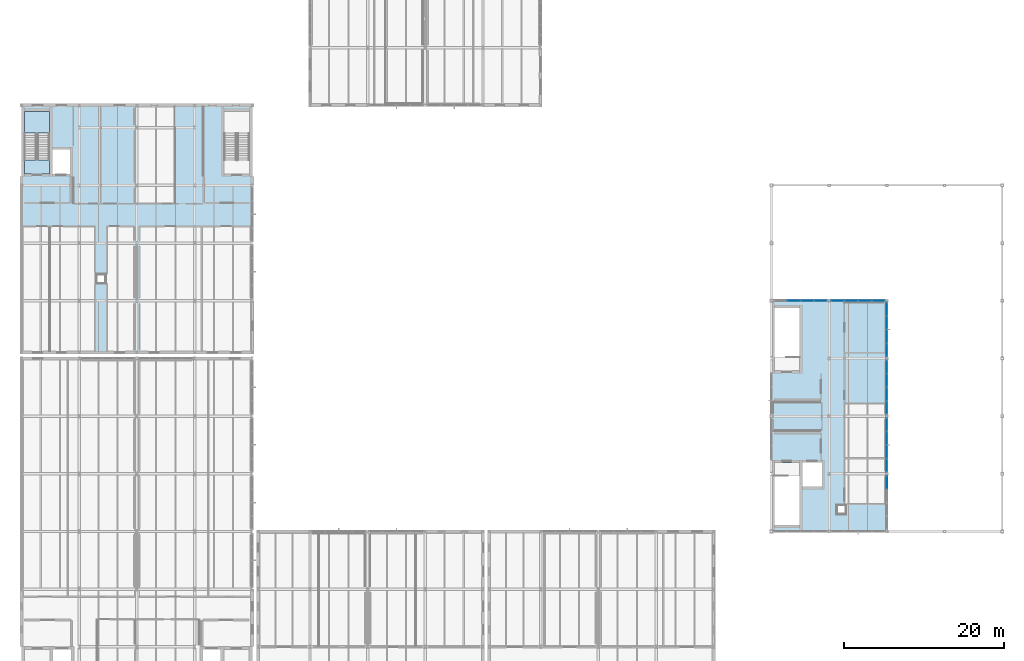
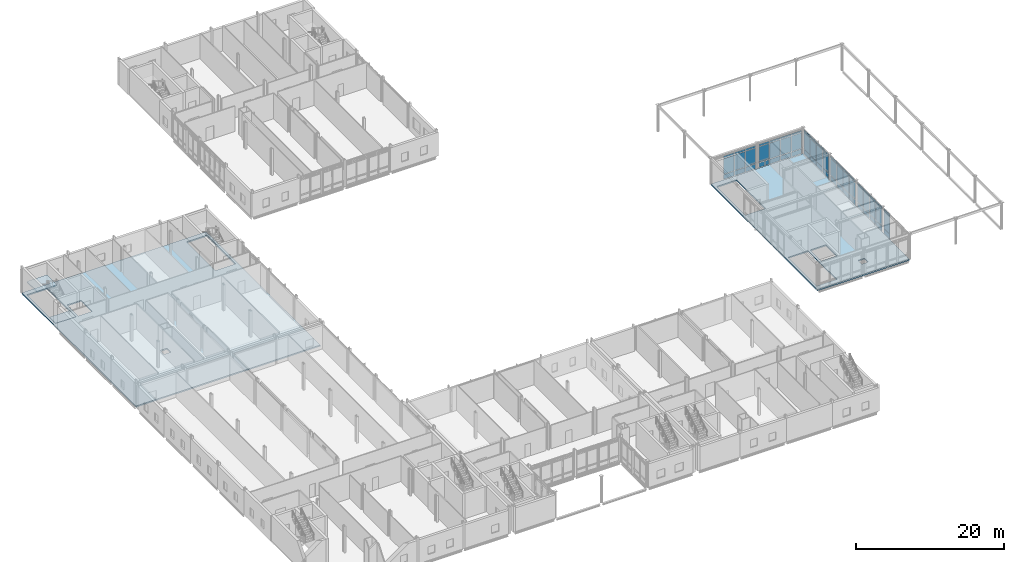
# One storey, part 38 of 72: 60 plates, 4 slabs, 7 elements without a shape of their own.
"""IFC4 building model written with IfcOpenShell, lengths in metres."""

from ifc_helpers import new_model, si_unit, direction, frame, origin, origin_2d, place, context, subcontext, project, spatial, polyline, rectangle, outline, extrude, material, layer, layer_set, type_object, element, aggregate, save


model = new_model("IFC4")

# Units and contexts
model_context = context("Model", 3, precision=1e-05, world=origin(), true_north=direction((0.0, 1.0)))
body_context = subcontext(model_context, "Body", "Model", "MODEL_VIEW")
ifc_project = project(units=[si_unit("LENGTHUNIT", "METRE"), si_unit("AREAUNIT", "SQUARE_METRE"), si_unit("VOLUMEUNIT", "CUBIC_METRE"), si_unit("PLANEANGLEUNIT", "RADIAN"), si_unit("MASSUNIT", "GRAM", prefix="KILO")], contexts=[model_context])

# Site, building, storey
site_placement = place(None, origin())
site = spatial("IfcSite", under=ifc_project, at=site_placement, CompositionType="ELEMENT")
building_placement = place(site_placement, origin())
building = spatial("IfcBuilding", under=site, at=building_placement, Name="Zarrinpeak Specialist Clinic", CompositionType="ELEMENT")
storey_placement = place(building_placement, frame((0.0, 0.0, 9.60009765625)))
storey = spatial("IfcBuildingStorey", under=building, at=storey_placement, Name="L02", CompositionType="ELEMENT", Elevation=9.60009765625)

# Curtain wall, plates
ifc_material_1 = material(Name="Anodised Aluminium Alloy 6063-T6", Category="aluminium")
ifc_layer_1 = layer(ifc_material_1, 0.199951171875)
ifc_layer_set_1 = layer_set([ifc_layer_1], Name="Anodised Aluminium Alloy 6063-T6")
curtain_wall_type = type_object("IfcCurtainWallType", Name="CW-HALL", PredefinedType="NOTDEFINED", material=ifc_layer_set_1)
curtain_wall_1_placement = place(storey_placement, origin())
curtain_wall_1 = element("IfcCurtainWall", 1, at=curtain_wall_1_placement, inside=storey, type_object=curtain_wall_type, Name="L02 V3 Unitised Curtain Wall CW-L02-V3-113", PredefinedType="NOTDEFINED")
ifc_material_2 = material(Name="Double Low-E Insulated Glazing", Category="glass")
ifc_layer_2 = layer(ifc_material_2, 0.028076171875)
ifc_layer_set_2 = layer_set([ifc_layer_2], Name="Double Low-E Insulated Glazing")
plate_type_1 = type_object("IfcPlateType", Name="CWP-GLZ28", PredefinedType="CURTAIN_PANEL", material=ifc_layer_set_2)
plate_1_placement = place(storey_placement, frame((99.742431640625, 57.60009765625, 0.08984375), z_axis=(0.0, 0.0, 1.0), x_axis=(-1.0, 0.0, 0.0)))
plate_1 = element("IfcPlate", 2, at=plate_1_placement, type_object=plate_type_1, Name="CW-02 panel 1.1", PredefinedType="CURTAIN_PANEL", context=body_context, shape_type="SweptSolid", body=[
    extrude(rectangle(XDim=1.561279296875, YDim=0.028076171875, at=origin_2d()), origin(), (0.0, 0.0, 1.0), 0.764892578125),
])
plate_2_placement = place(storey_placement, frame((99.742431640625, 57.60009765625, 0.94482421875), z_axis=(0.0, 0.0, 1.0), x_axis=(-1.0, 0.0, 0.0)))
plate_2 = element("IfcPlate", 3, at=plate_2_placement, type_object=plate_type_1, Name="CW-02 panel 1.2", PredefinedType="CURTAIN_PANEL", context=body_context, shape_type="SweptSolid", body=[
    extrude(rectangle(XDim=1.561279296875, YDim=0.028076171875, at=origin_2d()), origin(), (0.0, 0.0, 1.0), 2.56494140625),
])
plate_3_placement = place(storey_placement, frame((99.742431640625, 57.60009765625, 3.599853515625), z_axis=(0.0, 0.0, 1.0), x_axis=(-1.0, 0.0, 0.0)))
plate_3 = element("IfcPlate", 4, at=plate_3_placement, type_object=plate_type_1, Name="CW-02 panel 1.3", PredefinedType="CURTAIN_PANEL", context=body_context, shape_type="SweptSolid", body=[
    extrude(rectangle(XDim=1.561279296875, YDim=0.028076171875, at=origin_2d()), origin(), (0.0, 0.0, 1.0), 0.31494140625),
])
plate_4_placement = place(storey_placement, frame((98.06884765625, 57.60009765625, 0.08984375), z_axis=(0.0, 0.0, 1.0), x_axis=(-1.0, 0.0, 0.0)))
plate_4 = element("IfcPlate", 5, at=plate_4_placement, type_object=plate_type_1, Name="CW-02 panel 2.1", PredefinedType="CURTAIN_PANEL", context=body_context, shape_type="SweptSolid", body=[
    extrude(rectangle(XDim=1.606201171875, YDim=0.028076171875, at=origin_2d()), origin(), (0.0, 0.0, 1.0), 0.764892578125),
])
plate_5_placement = place(storey_placement, frame((98.06884765625, 57.60009765625, 0.94482421875), z_axis=(0.0, 0.0, 1.0), x_axis=(-1.0, 0.0, 0.0)))
plate_5 = element("IfcPlate", 6, at=plate_5_placement, type_object=plate_type_1, Name="CW-02 panel 2.2", PredefinedType="CURTAIN_PANEL", context=body_context, shape_type="SweptSolid", body=[
    extrude(rectangle(XDim=1.606201171875, YDim=0.028076171875, at=origin_2d()), origin(), (0.0, 0.0, 1.0), 2.56494140625),
])
plate_6_placement = place(storey_placement, frame((98.06884765625, 57.60009765625, 3.599853515625), z_axis=(0.0, 0.0, 1.0), x_axis=(-1.0, 0.0, 0.0)))
plate_6 = element("IfcPlate", 7, at=plate_6_placement, type_object=plate_type_1, Name="CW-02 panel 2.3", PredefinedType="CURTAIN_PANEL", context=body_context, shape_type="SweptSolid", body=[
    extrude(rectangle(XDim=1.606201171875, YDim=0.028076171875, at=origin_2d()), origin(), (0.0, 0.0, 1.0), 0.31494140625),
])
plate_7_placement = place(storey_placement, frame((96.37255859375, 57.60009765625, 0.08984375), z_axis=(0.0, 0.0, 1.0), x_axis=(-1.0, 0.0, 0.0)))
plate_7 = element("IfcPlate", 8, at=plate_7_placement, type_object=plate_type_1, Name="CW-02 panel 3.1", PredefinedType="CURTAIN_PANEL", context=body_context, shape_type="SweptSolid", body=[
    extrude(rectangle(XDim=1.606201171875, YDim=0.028076171875, at=origin_2d()), origin(), (0.0, 0.0, 1.0), 0.764892578125),
])
plate_8_placement = place(storey_placement, frame((96.37255859375, 57.60009765625, 0.94482421875), z_axis=(0.0, 0.0, 1.0), x_axis=(-1.0, 0.0, 0.0)))
plate_8 = element("IfcPlate", 9, at=plate_8_placement, type_object=plate_type_1, Name="CW-02 panel 3.2", PredefinedType="CURTAIN_PANEL", context=body_context, shape_type="SweptSolid", body=[
    extrude(rectangle(XDim=1.606201171875, YDim=0.028076171875, at=origin_2d()), origin(), (0.0, 0.0, 1.0), 2.56494140625),
])
plate_9_placement = place(storey_placement, frame((96.37255859375, 57.60009765625, 3.599853515625), z_axis=(0.0, 0.0, 1.0), x_axis=(-1.0, 0.0, 0.0)))
plate_9 = element("IfcPlate", 10, at=plate_9_placement, type_object=plate_type_1, Name="CW-02 panel 3.3", PredefinedType="CURTAIN_PANEL", context=body_context, shape_type="SweptSolid", body=[
    extrude(rectangle(XDim=1.606201171875, YDim=0.028076171875, at=origin_2d()), origin(), (0.0, 0.0, 1.0), 0.31494140625),
])
aggregate(curtain_wall_1, [plate_1, plate_2, plate_3, plate_4, plate_5, plate_6, plate_7, plate_8, plate_9])

curtain_wall_2_placement = place(storey_placement, origin())
curtain_wall_2 = element("IfcCurtainWall", 11, at=curtain_wall_2_placement, inside=storey, type_object=curtain_wall_type, Name="L02 V3 Unitised Curtain Wall CW-L02-V3-114", PredefinedType="NOTDEFINED")
plate_10_placement = place(storey_placement, frame((106.937255859375, 57.60009765625, 0.08984375), z_axis=(0.0, 0.0, 1.0), x_axis=(-1.0, 0.0, 0.0)))
plate_10 = element("IfcPlate", 12, at=plate_10_placement, type_object=plate_type_1, Name="CW-02 panel 1.1", PredefinedType="CURTAIN_PANEL", context=body_context, shape_type="SweptSolid", body=[
    extrude(rectangle(XDim=1.571533203125, YDim=0.028076171875, at=origin_2d()), origin(), (0.0, 0.0, 1.0), 0.764892578125),
])
plate_11_placement = place(storey_placement, frame((106.937255859375, 57.60009765625, 0.94482421875), z_axis=(0.0, 0.0, 1.0), x_axis=(-1.0, 0.0, 0.0)))
plate_11 = element("IfcPlate", 13, at=plate_11_placement, type_object=plate_type_1, Name="CW-02 panel 1.2", PredefinedType="CURTAIN_PANEL", context=body_context, shape_type="SweptSolid", body=[
    extrude(rectangle(XDim=1.571533203125, YDim=0.028076171875, at=origin_2d()), origin(), (0.0, 0.0, 1.0), 2.56494140625),
])
plate_12_placement = place(storey_placement, frame((106.937255859375, 57.60009765625, 3.599853515625), z_axis=(0.0, 0.0, 1.0), x_axis=(-1.0, 0.0, 0.0)))
plate_12 = element("IfcPlate", 14, at=plate_12_placement, type_object=plate_type_1, Name="CW-02 panel 1.3", PredefinedType="CURTAIN_PANEL", context=body_context, shape_type="SweptSolid", body=[
    extrude(rectangle(XDim=1.571533203125, YDim=0.028076171875, at=origin_2d()), origin(), (0.0, 0.0, 1.0), 0.31494140625),
])
plate_13_placement = place(storey_placement, frame((105.253173828125, 57.60009765625, 0.08984375), z_axis=(0.0, 0.0, 1.0), x_axis=(-1.0, 0.0, 0.0)))
plate_13 = element("IfcPlate", 15, at=plate_13_placement, type_object=plate_type_1, Name="CW-02 panel 2.1", PredefinedType="CURTAIN_PANEL", context=body_context, shape_type="SweptSolid", body=[
    extrude(rectangle(XDim=1.616455078125, YDim=0.028076171875, at=origin_2d()), origin(), (0.0, 0.0, 1.0), 0.764892578125),
])
plate_14_placement = place(storey_placement, frame((105.253173828125, 57.60009765625, 0.94482421875), z_axis=(0.0, 0.0, 1.0), x_axis=(-1.0, 0.0, 0.0)))
plate_14 = element("IfcPlate", 16, at=plate_14_placement, type_object=plate_type_1, Name="CW-02 panel 2.2", PredefinedType="CURTAIN_PANEL", context=body_context, shape_type="SweptSolid", body=[
    extrude(rectangle(XDim=1.616455078125, YDim=0.028076171875, at=origin_2d()), origin(), (0.0, 0.0, 1.0), 2.56494140625),
])
plate_15_placement = place(storey_placement, frame((105.253173828125, 57.60009765625, 3.599853515625), z_axis=(0.0, 0.0, 1.0), x_axis=(-1.0, 0.0, 0.0)))
plate_15 = element("IfcPlate", 17, at=plate_15_placement, type_object=plate_type_1, Name="CW-02 panel 2.3", PredefinedType="CURTAIN_PANEL", context=body_context, shape_type="SweptSolid", body=[
    extrude(rectangle(XDim=1.616455078125, YDim=0.028076171875, at=origin_2d()), origin(), (0.0, 0.0, 1.0), 0.31494140625),
])
plate_16_placement = place(storey_placement, frame((103.546630859375, 57.60009765625, 0.08984375), z_axis=(0.0, 0.0, 1.0), x_axis=(-1.0, 0.0, 0.0)))
plate_16 = element("IfcPlate", 18, at=plate_16_placement, type_object=plate_type_1, Name="CW-02 panel 3.1", PredefinedType="CURTAIN_PANEL", context=body_context, shape_type="SweptSolid", body=[
    extrude(rectangle(XDim=1.616455078125, YDim=0.028076171875, at=origin_2d()), origin(), (0.0, 0.0, 1.0), 0.764892578125),
])
plate_17_placement = place(storey_placement, frame((103.546630859375, 57.60009765625, 0.94482421875), z_axis=(0.0, 0.0, 1.0), x_axis=(-1.0, 0.0, 0.0)))
plate_17 = element("IfcPlate", 19, at=plate_17_placement, type_object=plate_type_1, Name="CW-02 panel 3.2", PredefinedType="CURTAIN_PANEL", context=body_context, shape_type="SweptSolid", body=[
    extrude(rectangle(XDim=1.616455078125, YDim=0.028076171875, at=origin_2d()), origin(), (0.0, 0.0, 1.0), 2.56494140625),
])
plate_18_placement = place(storey_placement, frame((103.546630859375, 57.60009765625, 3.599853515625), z_axis=(0.0, 0.0, 1.0), x_axis=(-1.0, 0.0, 0.0)))
plate_18 = element("IfcPlate", 20, at=plate_18_placement, type_object=plate_type_1, Name="CW-02 panel 3.3", PredefinedType="CURTAIN_PANEL", context=body_context, shape_type="SweptSolid", body=[
    extrude(rectangle(XDim=1.616455078125, YDim=0.028076171875, at=origin_2d()), origin(), (0.0, 0.0, 1.0), 0.31494140625),
])
plate_19_placement = place(storey_placement, frame((101.86279296875, 57.60009765625, 0.08984375), z_axis=(0.0, 0.0, 1.0), x_axis=(-1.0, 0.0, 0.0)))
plate_19 = element("IfcPlate", 21, at=plate_19_placement, type_object=plate_type_1, Name="CW-02 panel 4.1", PredefinedType="CURTAIN_PANEL", context=body_context, shape_type="SweptSolid", body=[
    extrude(rectangle(XDim=1.571533203125, YDim=0.028076171875, at=origin_2d()), origin(), (0.0, 0.0, 1.0), 0.764892578125),
])
plate_20_placement = place(storey_placement, frame((101.86279296875, 57.60009765625, 0.94482421875), z_axis=(0.0, 0.0, 1.0), x_axis=(-1.0, 0.0, 0.0)))
plate_20 = element("IfcPlate", 22, at=plate_20_placement, type_object=plate_type_1, Name="CW-02 panel 4.2", PredefinedType="CURTAIN_PANEL", context=body_context, shape_type="SweptSolid", body=[
    extrude(rectangle(XDim=1.571533203125, YDim=0.028076171875, at=origin_2d()), origin(), (0.0, 0.0, 1.0), 2.56494140625),
])
plate_21_placement = place(storey_placement, frame((101.86279296875, 57.60009765625, 3.599853515625), z_axis=(0.0, 0.0, 1.0), x_axis=(-1.0, 0.0, 0.0)))
plate_21 = element("IfcPlate", 23, at=plate_21_placement, type_object=plate_type_1, Name="CW-02 panel 4.3", PredefinedType="CURTAIN_PANEL", context=body_context, shape_type="SweptSolid", body=[
    extrude(rectangle(XDim=1.571533203125, YDim=0.028076171875, at=origin_2d()), origin(), (0.0, 0.0, 1.0), 0.31494140625),
])
aggregate(curtain_wall_2, [plate_10, plate_11, plate_12, plate_13, plate_14, plate_15, plate_16, plate_17, plate_18, plate_19, plate_20, plate_21])

curtain_wall_3_placement = place(storey_placement, origin())
curtain_wall_3 = element("IfcCurtainWall", 24, at=curtain_wall_3_placement, inside=storey, type_object=curtain_wall_type, Name="L02 V3 Unitised Curtain Wall CW-L02-V3-118", PredefinedType="NOTDEFINED")
plate_22_placement = place(storey_placement, frame((108.0, 37.062744140625, 0.08984375), z_axis=(0.0, 0.0, 1.0), x_axis=(0.0, 1.0, 0.0)))
plate_22 = element("IfcPlate", 25, at=plate_22_placement, type_object=plate_type_1, Name="CW-02 panel 1.1", PredefinedType="CURTAIN_PANEL", context=body_context, shape_type="SweptSolid", body=[
    extrude(rectangle(XDim=1.571533203125, YDim=0.028076171875, at=origin_2d()), origin(), (0.0, 0.0, 1.0), 0.764892578125),
])
plate_23_placement = place(storey_placement, frame((108.0, 37.062744140625, 0.94482421875), z_axis=(0.0, 0.0, 1.0), x_axis=(0.0, 1.0, 0.0)))
plate_23 = element("IfcPlate", 26, at=plate_23_placement, type_object=plate_type_1, Name="CW-02 panel 1.2", PredefinedType="CURTAIN_PANEL", context=body_context, shape_type="SweptSolid", body=[
    extrude(rectangle(XDim=1.571533203125, YDim=0.028076171875, at=origin_2d()), origin(), (0.0, 0.0, 1.0), 2.739990234375),
])
plate_24_placement = place(storey_placement, frame((108.0, 37.062744140625, 3.77490234375), z_axis=(0.0, 0.0, 1.0), x_axis=(0.0, 1.0, 0.0)))
plate_24 = element("IfcPlate", 27, at=plate_24_placement, type_object=plate_type_1, Name="CW-02 panel 1.3", PredefinedType="CURTAIN_PANEL", context=body_context, shape_type="SweptSolid", body=[
    extrude(rectangle(XDim=1.571533203125, YDim=0.028076171875, at=origin_2d()), origin(), (0.0, 0.0, 1.0), 0.31494140625),
])
plate_25_placement = place(storey_placement, frame((108.0, 38.746826171875, 0.08984375), z_axis=(0.0, 0.0, 1.0), x_axis=(0.0, 1.0, 0.0)))
plate_25 = element("IfcPlate", 28, at=plate_25_placement, type_object=plate_type_1, Name="CW-02 panel 2.1", PredefinedType="CURTAIN_PANEL", context=body_context, shape_type="SweptSolid", body=[
    extrude(rectangle(XDim=1.616455078125, YDim=0.028076171875, at=origin_2d()), origin(), (0.0, 0.0, 1.0), 0.764892578125),
])
plate_26_placement = place(storey_placement, frame((108.0, 38.746826171875, 0.94482421875), z_axis=(0.0, 0.0, 1.0), x_axis=(0.0, 1.0, 0.0)))
plate_26 = element("IfcPlate", 29, at=plate_26_placement, type_object=plate_type_1, Name="CW-02 panel 2.2", PredefinedType="CURTAIN_PANEL", context=body_context, shape_type="SweptSolid", body=[
    extrude(rectangle(XDim=1.616455078125, YDim=0.028076171875, at=origin_2d()), origin(), (0.0, 0.0, 1.0), 2.739990234375),
])
plate_27_placement = place(storey_placement, frame((108.0, 38.746826171875, 3.77490234375), z_axis=(0.0, 0.0, 1.0), x_axis=(0.0, 1.0, 0.0)))
plate_27 = element("IfcPlate", 30, at=plate_27_placement, type_object=plate_type_1, Name="CW-02 panel 2.3", PredefinedType="CURTAIN_PANEL", context=body_context, shape_type="SweptSolid", body=[
    extrude(rectangle(XDim=1.616455078125, YDim=0.028076171875, at=origin_2d()), origin(), (0.0, 0.0, 1.0), 0.31494140625),
])
plate_28_placement = place(storey_placement, frame((108.0, 40.453369140625, 0.08984375), z_axis=(0.0, 0.0, 1.0), x_axis=(0.0, 1.0, 0.0)))
plate_28 = element("IfcPlate", 31, at=plate_28_placement, type_object=plate_type_1, Name="CW-02 panel 3.1", PredefinedType="CURTAIN_PANEL", context=body_context, shape_type="SweptSolid", body=[
    extrude(rectangle(XDim=1.616455078125, YDim=0.028076171875, at=origin_2d()), origin(), (0.0, 0.0, 1.0), 0.764892578125),
])
plate_29_placement = place(storey_placement, frame((108.0, 40.453369140625, 0.94482421875), z_axis=(0.0, 0.0, 1.0), x_axis=(0.0, 1.0, 0.0)))
plate_29 = element("IfcPlate", 32, at=plate_29_placement, type_object=plate_type_1, Name="CW-02 panel 3.2", PredefinedType="CURTAIN_PANEL", context=body_context, shape_type="SweptSolid", body=[
    extrude(rectangle(XDim=1.616455078125, YDim=0.028076171875, at=origin_2d()), origin(), (0.0, 0.0, 1.0), 2.739990234375),
])
plate_30_placement = place(storey_placement, frame((108.0, 40.453369140625, 3.77490234375), z_axis=(0.0, 0.0, 1.0), x_axis=(0.0, 1.0, 0.0)))
plate_30 = element("IfcPlate", 33, at=plate_30_placement, type_object=plate_type_1, Name="CW-02 panel 3.3", PredefinedType="CURTAIN_PANEL", context=body_context, shape_type="SweptSolid", body=[
    extrude(rectangle(XDim=1.616455078125, YDim=0.028076171875, at=origin_2d()), origin(), (0.0, 0.0, 1.0), 0.31494140625),
])
plate_31_placement = place(storey_placement, frame((108.0, 42.13720703125, 0.08984375), z_axis=(0.0, 0.0, 1.0), x_axis=(0.0, 1.0, 0.0)))
plate_31 = element("IfcPlate", 34, at=plate_31_placement, type_object=plate_type_1, Name="CW-02 panel 4.1", PredefinedType="CURTAIN_PANEL", context=body_context, shape_type="SweptSolid", body=[
    extrude(rectangle(XDim=1.571533203125, YDim=0.028076171875, at=origin_2d()), origin(), (0.0, 0.0, 1.0), 0.764892578125),
])
plate_32_placement = place(storey_placement, frame((108.0, 42.13720703125, 0.94482421875), z_axis=(0.0, 0.0, 1.0), x_axis=(0.0, 1.0, 0.0)))
plate_32 = element("IfcPlate", 35, at=plate_32_placement, type_object=plate_type_1, Name="CW-02 panel 4.2", PredefinedType="CURTAIN_PANEL", context=body_context, shape_type="SweptSolid", body=[
    extrude(rectangle(XDim=1.571533203125, YDim=0.028076171875, at=origin_2d()), origin(), (0.0, 0.0, 1.0), 2.739990234375),
])
plate_33_placement = place(storey_placement, frame((108.0, 42.13720703125, 3.77490234375), z_axis=(0.0, 0.0, 1.0), x_axis=(0.0, 1.0, 0.0)))
plate_33 = element("IfcPlate", 36, at=plate_33_placement, type_object=plate_type_1, Name="CW-02 panel 4.3", PredefinedType="CURTAIN_PANEL", context=body_context, shape_type="SweptSolid", body=[
    extrude(rectangle(XDim=1.571533203125, YDim=0.028076171875, at=origin_2d()), origin(), (0.0, 0.0, 1.0), 0.31494140625),
])
aggregate(curtain_wall_3, [plate_22, plate_23, plate_24, plate_25, plate_26, plate_27, plate_28, plate_29, plate_30, plate_31, plate_32, plate_33])

curtain_wall_4_placement = place(storey_placement, origin())
curtain_wall_4 = element("IfcCurtainWall", 37, at=curtain_wall_4_placement, inside=storey, type_object=curtain_wall_type, Name="L02 V3 Unitised Curtain Wall CW-L02-V3-119", PredefinedType="NOTDEFINED")
plate_34_placement = place(storey_placement, frame((108.0, 44.2626953125, 0.08984375), z_axis=(0.0, 0.0, 1.0), x_axis=(0.0, 1.0, 0.0)))
plate_34 = element("IfcPlate", 38, at=plate_34_placement, type_object=plate_type_1, Name="CW-02 panel 1.1", PredefinedType="CURTAIN_PANEL", context=body_context, shape_type="SweptSolid", body=[
    extrude(rectangle(XDim=1.571533203125, YDim=0.028076171875, at=origin_2d()), origin(), (0.0, 0.0, 1.0), 0.764892578125),
])
plate_35_placement = place(storey_placement, frame((108.0, 44.2626953125, 0.94482421875), z_axis=(0.0, 0.0, 1.0), x_axis=(0.0, 1.0, 0.0)))
plate_35 = element("IfcPlate", 39, at=plate_35_placement, type_object=plate_type_1, Name="CW-02 panel 1.2", PredefinedType="CURTAIN_PANEL", context=body_context, shape_type="SweptSolid", body=[
    extrude(rectangle(XDim=1.571533203125, YDim=0.028076171875, at=origin_2d()), origin(), (0.0, 0.0, 1.0), 2.739990234375),
])
plate_36_placement = place(storey_placement, frame((108.0, 44.2626953125, 3.77490234375), z_axis=(0.0, 0.0, 1.0), x_axis=(0.0, 1.0, 0.0)))
plate_36 = element("IfcPlate", 40, at=plate_36_placement, type_object=plate_type_1, Name="CW-02 panel 1.3", PredefinedType="CURTAIN_PANEL", context=body_context, shape_type="SweptSolid", body=[
    extrude(rectangle(XDim=1.571533203125, YDim=0.028076171875, at=origin_2d()), origin(), (0.0, 0.0, 1.0), 0.31494140625),
])
plate_37_placement = place(storey_placement, frame((108.0, 45.94677734375, 0.08984375), z_axis=(0.0, 0.0, 1.0), x_axis=(0.0, 1.0, 0.0)))
plate_37 = element("IfcPlate", 41, at=plate_37_placement, type_object=plate_type_1, Name="CW-02 panel 2.1", PredefinedType="CURTAIN_PANEL", context=body_context, shape_type="SweptSolid", body=[
    extrude(rectangle(XDim=1.616455078125, YDim=0.028076171875, at=origin_2d()), origin(), (0.0, 0.0, 1.0), 0.764892578125),
])
plate_38_placement = place(storey_placement, frame((108.0, 45.94677734375, 0.94482421875), z_axis=(0.0, 0.0, 1.0), x_axis=(0.0, 1.0, 0.0)))
plate_38 = element("IfcPlate", 42, at=plate_38_placement, type_object=plate_type_1, Name="CW-02 panel 2.2", PredefinedType="CURTAIN_PANEL", context=body_context, shape_type="SweptSolid", body=[
    extrude(rectangle(XDim=1.616455078125, YDim=0.028076171875, at=origin_2d()), origin(), (0.0, 0.0, 1.0), 2.739990234375),
])
plate_39_placement = place(storey_placement, frame((108.0, 45.94677734375, 3.77490234375), z_axis=(0.0, 0.0, 1.0), x_axis=(0.0, 1.0, 0.0)))
plate_39 = element("IfcPlate", 43, at=plate_39_placement, type_object=plate_type_1, Name="CW-02 panel 2.3", PredefinedType="CURTAIN_PANEL", context=body_context, shape_type="SweptSolid", body=[
    extrude(rectangle(XDim=1.616455078125, YDim=0.028076171875, at=origin_2d()), origin(), (0.0, 0.0, 1.0), 0.31494140625),
])
plate_40_placement = place(storey_placement, frame((108.0, 47.6533203125, 0.08984375), z_axis=(0.0, 0.0, 1.0), x_axis=(0.0, 1.0, 0.0)))
plate_40 = element("IfcPlate", 44, at=plate_40_placement, type_object=plate_type_1, Name="CW-02 panel 3.1", PredefinedType="CURTAIN_PANEL", context=body_context, shape_type="SweptSolid", body=[
    extrude(rectangle(XDim=1.616455078125, YDim=0.028076171875, at=origin_2d()), origin(), (0.0, 0.0, 1.0), 0.764892578125),
])
plate_41_placement = place(storey_placement, frame((108.0, 47.6533203125, 0.94482421875), z_axis=(0.0, 0.0, 1.0), x_axis=(0.0, 1.0, 0.0)))
plate_41 = element("IfcPlate", 45, at=plate_41_placement, type_object=plate_type_1, Name="CW-02 panel 3.2", PredefinedType="CURTAIN_PANEL", context=body_context, shape_type="SweptSolid", body=[
    extrude(rectangle(XDim=1.616455078125, YDim=0.028076171875, at=origin_2d()), origin(), (0.0, 0.0, 1.0), 2.739990234375),
])
plate_42_placement = place(storey_placement, frame((108.0, 47.6533203125, 3.77490234375), z_axis=(0.0, 0.0, 1.0), x_axis=(0.0, 1.0, 0.0)))
plate_42 = element("IfcPlate", 46, at=plate_42_placement, type_object=plate_type_1, Name="CW-02 panel 3.3", PredefinedType="CURTAIN_PANEL", context=body_context, shape_type="SweptSolid", body=[
    extrude(rectangle(XDim=1.616455078125, YDim=0.028076171875, at=origin_2d()), origin(), (0.0, 0.0, 1.0), 0.31494140625),
])
plate_43_placement = place(storey_placement, frame((108.0, 49.337158203125, 0.08984375), z_axis=(0.0, 0.0, 1.0), x_axis=(0.0, 1.0, 0.0)))
plate_43 = element("IfcPlate", 47, at=plate_43_placement, type_object=plate_type_1, Name="CW-02 panel 4.1", PredefinedType="CURTAIN_PANEL", context=body_context, shape_type="SweptSolid", body=[
    extrude(rectangle(XDim=1.571533203125, YDim=0.028076171875, at=origin_2d()), origin(), (0.0, 0.0, 1.0), 0.764892578125),
])
plate_44_placement = place(storey_placement, frame((108.0, 49.337158203125, 0.94482421875), z_axis=(0.0, 0.0, 1.0), x_axis=(0.0, 1.0, 0.0)))
plate_44 = element("IfcPlate", 48, at=plate_44_placement, type_object=plate_type_1, Name="CW-02 panel 4.2", PredefinedType="CURTAIN_PANEL", context=body_context, shape_type="SweptSolid", body=[
    extrude(rectangle(XDim=1.571533203125, YDim=0.028076171875, at=origin_2d()), origin(), (0.0, 0.0, 1.0), 2.739990234375),
])
plate_45_placement = place(storey_placement, frame((108.0, 49.337158203125, 3.77490234375), z_axis=(0.0, 0.0, 1.0), x_axis=(0.0, 1.0, 0.0)))
plate_45 = element("IfcPlate", 49, at=plate_45_placement, type_object=plate_type_1, Name="CW-02 panel 4.3", PredefinedType="CURTAIN_PANEL", context=body_context, shape_type="SweptSolid", body=[
    extrude(rectangle(XDim=1.571533203125, YDim=0.028076171875, at=origin_2d()), origin(), (0.0, 0.0, 1.0), 0.31494140625),
])
aggregate(curtain_wall_4, [plate_34, plate_35, plate_36, plate_37, plate_38, plate_39, plate_40, plate_41, plate_42, plate_43, plate_44, plate_45])

curtain_wall_5_placement = place(storey_placement, origin())
curtain_wall_5 = element("IfcCurtainWall", 50, at=curtain_wall_5_placement, inside=storey, type_object=curtain_wall_type, Name="L02 V3 Unitised Curtain Wall CW-L02-V3-120", PredefinedType="NOTDEFINED")
plate_46_placement = place(storey_placement, frame((108.0, 51.462646484375, 0.08984375), z_axis=(0.0, 0.0, 1.0), x_axis=(0.0, 1.0, 0.0)))
plate_46 = element("IfcPlate", 51, at=plate_46_placement, type_object=plate_type_1, Name="CW-02 panel 1.1", PredefinedType="CURTAIN_PANEL", context=body_context, shape_type="SweptSolid", body=[
    extrude(rectangle(XDim=1.571533203125, YDim=0.028076171875, at=origin_2d()), origin(), (0.0, 0.0, 1.0), 0.764892578125),
])
plate_47_placement = place(storey_placement, frame((108.0, 51.462646484375, 0.94482421875), z_axis=(0.0, 0.0, 1.0), x_axis=(0.0, 1.0, 0.0)))
plate_47 = element("IfcPlate", 52, at=plate_47_placement, type_object=plate_type_1, Name="CW-02 panel 1.2", PredefinedType="CURTAIN_PANEL", context=body_context, shape_type="SweptSolid", body=[
    extrude(rectangle(XDim=1.571533203125, YDim=0.028076171875, at=origin_2d()), origin(), (0.0, 0.0, 1.0), 2.739990234375),
])
plate_48_placement = place(storey_placement, frame((108.0, 51.462646484375, 3.77490234375), z_axis=(0.0, 0.0, 1.0), x_axis=(0.0, 1.0, 0.0)))
plate_48 = element("IfcPlate", 53, at=plate_48_placement, type_object=plate_type_1, Name="CW-02 panel 1.3", PredefinedType="CURTAIN_PANEL", context=body_context, shape_type="SweptSolid", body=[
    extrude(rectangle(XDim=1.571533203125, YDim=0.028076171875, at=origin_2d()), origin(), (0.0, 0.0, 1.0), 0.31494140625),
])
plate_49_placement = place(storey_placement, frame((108.0, 53.146728515625, 0.08984375), z_axis=(0.0, 0.0, 1.0), x_axis=(0.0, 1.0, 0.0)))
plate_49 = element("IfcPlate", 54, at=plate_49_placement, type_object=plate_type_1, Name="CW-02 panel 2.1", PredefinedType="CURTAIN_PANEL", context=body_context, shape_type="SweptSolid", body=[
    extrude(rectangle(XDim=1.616455078125, YDim=0.028076171875, at=origin_2d()), origin(), (0.0, 0.0, 1.0), 0.764892578125),
])
plate_50_placement = place(storey_placement, frame((108.0, 53.146728515625, 0.94482421875), z_axis=(0.0, 0.0, 1.0), x_axis=(0.0, 1.0, 0.0)))
plate_50 = element("IfcPlate", 55, at=plate_50_placement, type_object=plate_type_1, Name="CW-02 panel 2.2", PredefinedType="CURTAIN_PANEL", context=body_context, shape_type="SweptSolid", body=[
    extrude(rectangle(XDim=1.616455078125, YDim=0.028076171875, at=origin_2d()), origin(), (0.0, 0.0, 1.0), 2.739990234375),
])
plate_51_placement = place(storey_placement, frame((108.0, 53.146728515625, 3.77490234375), z_axis=(0.0, 0.0, 1.0), x_axis=(0.0, 1.0, 0.0)))
plate_51 = element("IfcPlate", 56, at=plate_51_placement, type_object=plate_type_1, Name="CW-02 panel 2.3", PredefinedType="CURTAIN_PANEL", context=body_context, shape_type="SweptSolid", body=[
    extrude(rectangle(XDim=1.616455078125, YDim=0.028076171875, at=origin_2d()), origin(), (0.0, 0.0, 1.0), 0.31494140625),
])
plate_52_placement = place(storey_placement, frame((108.0, 54.853271484375, 0.08984375), z_axis=(0.0, 0.0, 1.0), x_axis=(0.0, 1.0, 0.0)))
plate_52 = element("IfcPlate", 57, at=plate_52_placement, type_object=plate_type_1, Name="CW-02 panel 3.1", PredefinedType="CURTAIN_PANEL", context=body_context, shape_type="SweptSolid", body=[
    extrude(rectangle(XDim=1.616455078125, YDim=0.028076171875, at=origin_2d()), origin(), (0.0, 0.0, 1.0), 0.764892578125),
])
plate_53_placement = place(storey_placement, frame((108.0, 54.853271484375, 0.94482421875), z_axis=(0.0, 0.0, 1.0), x_axis=(0.0, 1.0, 0.0)))
plate_53 = element("IfcPlate", 58, at=plate_53_placement, type_object=plate_type_1, Name="CW-02 panel 3.2", PredefinedType="CURTAIN_PANEL", context=body_context, shape_type="SweptSolid", body=[
    extrude(rectangle(XDim=1.616455078125, YDim=0.028076171875, at=origin_2d()), origin(), (0.0, 0.0, 1.0), 2.739990234375),
])
plate_54_placement = place(storey_placement, frame((108.0, 54.853271484375, 3.77490234375), z_axis=(0.0, 0.0, 1.0), x_axis=(0.0, 1.0, 0.0)))
plate_54 = element("IfcPlate", 59, at=plate_54_placement, type_object=plate_type_1, Name="CW-02 panel 3.3", PredefinedType="CURTAIN_PANEL", context=body_context, shape_type="SweptSolid", body=[
    extrude(rectangle(XDim=1.616455078125, YDim=0.028076171875, at=origin_2d()), origin(), (0.0, 0.0, 1.0), 0.31494140625),
])
plate_55_placement = place(storey_placement, frame((108.0, 56.537353515625, 0.08984375), z_axis=(0.0, 0.0, 1.0), x_axis=(0.0, 1.0, 0.0)))
plate_55 = element("IfcPlate", 60, at=plate_55_placement, type_object=plate_type_1, Name="CW-02 panel 4.1", PredefinedType="CURTAIN_PANEL", context=body_context, shape_type="SweptSolid", body=[
    extrude(rectangle(XDim=1.571533203125, YDim=0.028076171875, at=origin_2d()), origin(), (0.0, 0.0, 1.0), 0.764892578125),
])
plate_56_placement = place(storey_placement, frame((108.0, 56.537353515625, 0.94482421875), z_axis=(0.0, 0.0, 1.0), x_axis=(0.0, 1.0, 0.0)))
plate_56 = element("IfcPlate", 61, at=plate_56_placement, type_object=plate_type_1, Name="CW-02 panel 4.2", PredefinedType="CURTAIN_PANEL", context=body_context, shape_type="SweptSolid", body=[
    extrude(rectangle(XDim=1.571533203125, YDim=0.028076171875, at=origin_2d()), origin(), (0.0, 0.0, 1.0), 2.739990234375),
])
plate_57_placement = place(storey_placement, frame((108.0, 56.537353515625, 3.77490234375), z_axis=(0.0, 0.0, 1.0), x_axis=(0.0, 1.0, 0.0)))
plate_57 = element("IfcPlate", 62, at=plate_57_placement, type_object=plate_type_1, Name="CW-02 panel 4.3", PredefinedType="CURTAIN_PANEL", context=body_context, shape_type="SweptSolid", body=[
    extrude(rectangle(XDim=1.571533203125, YDim=0.028076171875, at=origin_2d()), origin(), (0.0, 0.0, 1.0), 0.31494140625),
])
aggregate(curtain_wall_5, [plate_46, plate_47, plate_48, plate_49, plate_50, plate_51, plate_52, plate_53, plate_54, plate_55, plate_56, plate_57])

curtain_wall_6_placement = place(storey_placement, origin())
curtain_wall_6 = element("IfcCurtainWall", 63, at=curtain_wall_6_placement, inside=storey, type_object=curtain_wall_type, Name="L02 V3 Unitised Curtain Wall CW-L02-V3-117", PredefinedType="NOTDEFINED")
ifc_material_3 = material(Name="Insulated Aluminium Spandrel Panel", Category="aluminium")
ifc_layer_3 = layer(ifc_material_3, 0.044921875)
ifc_layer_set_3 = layer_set([ifc_layer_3], Name="Insulated Aluminium Spandrel Panel")
plate_type_2 = type_object("IfcPlateType", Name="CWP-SPN45", PredefinedType="CURTAIN_PANEL", material=ifc_layer_set_3)
plate_58_placement = place(storey_placement, frame((108.0, 34.937255859375, 0.08984375), z_axis=(0.0, 0.0, 1.0), x_axis=(0.0, 1.0, 0.0)))
plate_58 = element("IfcPlate", 64, at=plate_58_placement, type_object=plate_type_2, Name="CW-02 panel 4.1", PredefinedType="CURTAIN_PANEL", context=body_context, shape_type="SweptSolid", body=[
    extrude(rectangle(XDim=1.571533203125, YDim=0.044921875, at=origin_2d()), origin(), (0.0, 0.0, 1.0), 0.764892578125),
])
plate_59_placement = place(storey_placement, frame((108.0, 34.937255859375, 0.94482421875), z_axis=(0.0, 0.0, 1.0), x_axis=(0.0, 1.0, 0.0)))
plate_59 = element("IfcPlate", 65, at=plate_59_placement, type_object=plate_type_2, Name="CW-02 panel 4.2", PredefinedType="CURTAIN_PANEL", context=body_context, shape_type="SweptSolid", body=[
    extrude(rectangle(XDim=1.571533203125, YDim=0.044921875, at=origin_2d()), origin(), (0.0, 0.0, 1.0), 2.739990234375),
])
plate_60_placement = place(storey_placement, frame((108.0, 34.937255859375, 3.77490234375), z_axis=(0.0, 0.0, 1.0), x_axis=(0.0, 1.0, 0.0)))
plate_60 = element("IfcPlate", 66, at=plate_60_placement, type_object=plate_type_2, Name="CW-02 panel 4.3", PredefinedType="CURTAIN_PANEL", context=body_context, shape_type="SweptSolid", body=[
    extrude(rectangle(XDim=1.571533203125, YDim=0.044921875, at=origin_2d()), origin(), (0.0, 0.0, 1.0), 0.31494140625),
])
aggregate(curtain_wall_6, [plate_58, plate_59, plate_60])

# Slabs
ifc_material_4 = material(Name="Concrete C35/45", Category="concrete")
ifc_layer_4 = layer(ifc_material_4, 0.215087890625)
ifc_layer_set_4 = layer_set([ifc_layer_4], Name="Concrete C35/45")
slab_type_1 = type_object("IfcSlabType", Name="SL-FLR215", PredefinedType="FLOOR", material=ifc_layer_set_4)
slab_1_placement = place(storey_placement, frame((0.0, 0.0, -0.215087890625)))
element("IfcSlab", 67, at=slab_1_placement, inside=storey, type_object=slab_type_1, Name="L02 Suspended Clinical Floor Slab V3", PredefinedType="FLOOR", context=body_context, shape_type="SweptSolid", body=[
    extrude(outline(polyline([(93.60009765625, 28.800048828125), (108.0, 28.800048828125), (108.0, 57.60009765625), (93.60009765625, 57.60009765625), (93.60009765625, 28.800048828125)]), holes=[polyline([(93.949951171875, 29.60009765625), (97.10009765625, 29.60009765625), (97.10009765625, 37.39990234375), (93.949951171875, 37.39990234375), (93.949951171875, 29.60009765625)]), polyline([(97.449951171875, 34.39990234375), (99.89990234375, 34.39990234375), (99.89990234375, 37.39990234375), (97.449951171875, 37.39990234375), (97.449951171875, 34.39990234375)]), polyline([(93.949951171875, 48.89990234375), (97.10009765625, 48.89990234375), (97.10009765625, 56.699951171875), (93.949951171875, 56.699951171875), (93.949951171875, 48.89990234375)]), polyline([(101.800048828125, 31.0), (102.85009765625, 31.0), (102.85009765625, 32.050048828125), (101.800048828125, 32.050048828125), (101.800048828125, 31.0)])]), origin(), (0.0, 0.0, 1.0), 0.215087890625),
])
slab_2_placement = place(storey_placement, frame((0.0, 0.0, -0.215087890625)))
element("IfcSlab", 68, at=slab_2_placement, inside=storey, type_object=slab_type_1, Name="L02 Suspended Clinical Floor Slab V5", PredefinedType="FLOOR", context=body_context, shape_type="SweptSolid", body=[
    extrude(outline(polyline([(0.0, 51.1201171875), (28.800048828125, 51.1201171875), (28.800048828125, 82.0), (0.0, 82.0), (0.0, 51.1201171875)]), holes=[polyline([(0.35009765625, 73.449951171875), (3.5, 73.449951171875), (3.5, 81.25), (0.35009765625, 81.25), (0.35009765625, 73.449951171875)]), polyline([(3.85009765625, 73.449951171875), (6.050048828125, 73.449951171875), (6.050048828125, 76.449951171875), (3.85009765625, 76.449951171875), (3.85009765625, 73.449951171875)]), polyline([(25.300048828125, 73.449951171875), (28.449951171875, 73.449951171875), (28.449951171875, 81.25), (25.300048828125, 81.25), (25.300048828125, 73.449951171875)]), polyline([(9.39990234375, 59.800048828125), (10.449951171875, 59.800048828125), (10.449951171875, 60.85009765625), (9.39990234375, 60.85009765625), (9.39990234375, 59.800048828125)])]), origin(), (0.0, 0.0, 1.0), 0.215087890625),
])
slab_3_placement = place(storey_placement, frame((0.0, 0.0, -0.215087890625)))
element("IfcSlab", 69, at=slab_3_placement, inside=storey, type_object=slab_type_1, Name="L02 Core C09 Stairwell Floor Landing Slab", PredefinedType="FLOOR", context=body_context, shape_type="SweptSolid", body=[
    extrude(outline(polyline([(0.35009765625, 73.449951171875), (3.5, 73.449951171875), (3.5, 75.14990234375), (0.35009765625, 75.14990234375), (0.35009765625, 73.449951171875)])), origin(), (0.0, 0.0, 1.0), 0.215087890625),
])

# Stair, slab
stair_type = type_object("IfcStairType", Name="ST-DOG", PredefinedType="HALF_TURN_STAIR", material=ifc_material_4)
stair_placement = place(storey_placement, origin())
stair = element("IfcStair", 70, at=stair_placement, inside=storey, type_object=stair_type, Name="L02 Protected Exit Stair ST-09", PredefinedType="HALF_TURN_STAIR")
ifc_layer_5 = layer(ifc_material_4, 0.199951171875)
ifc_layer_set_5 = layer_set([ifc_layer_5], Name="Concrete C35/45")
slab_type_2 = type_object("IfcSlabType", Name="SL-LAND200", PredefinedType="LANDING", material=ifc_layer_set_5)
slab_4_placement = place(storey_placement, frame((0.0, 0.0, 2.0)))
slab_4 = element("IfcSlab", 71, at=slab_4_placement, type_object=slab_type_2, Name="ST-09 landing 1", PredefinedType="LANDING", context=body_context, shape_type="SweptSolid", body=[
    extrude(outline(polyline([(3.5, 78.510009765625), (3.5, 81.25), (0.35009765625, 81.25), (0.35009765625, 78.510009765625), (3.5, 78.510009765625)])), origin(), (0.0, 0.0, 1.0), 0.199951171875),
])
aggregate(stair, [slab_4])

save(model, "model.ifc")
